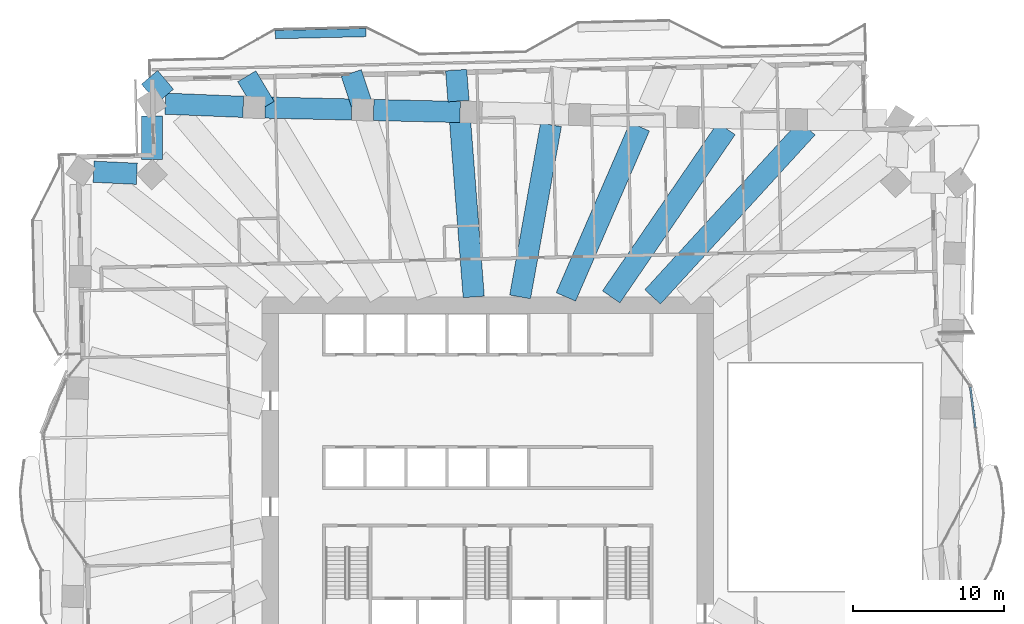
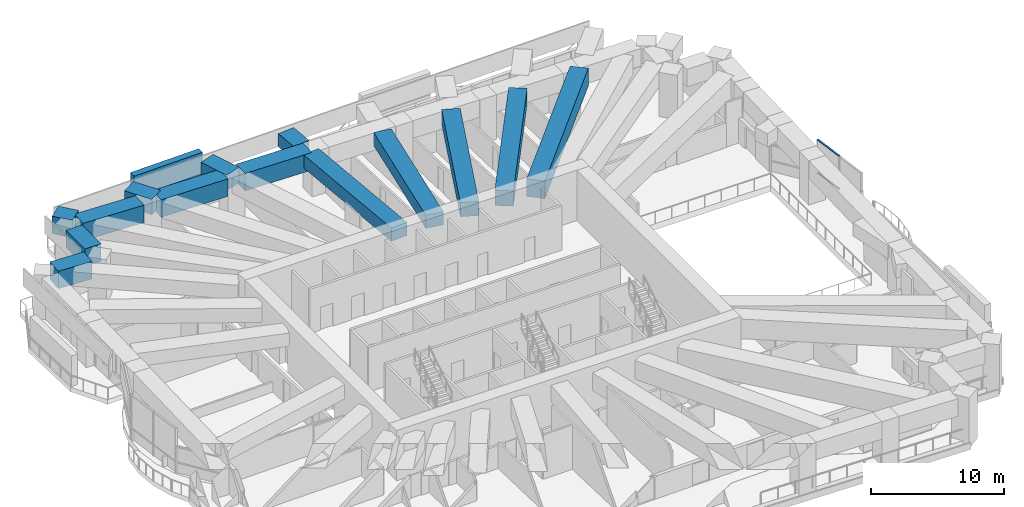
# One storey, part 6 of 20: 14 beams, 3 members, 1 element without a shape of its own.
"""IFC4 building model written with IfcOpenShell, lengths in metres."""

from ifc_helpers import new_model, si_unit, direction, frame, origin, origin_2d, place, context, subcontext, project, spatial, rectangle, extrude, material, material_profile, profile_set, type_object, element, aggregate, save


model = new_model("IFC4")

# Units and contexts
model_context = context("Model", 3, precision=1e-05, world=origin(), true_north=direction((0.0, 1.0)))
body_context = subcontext(model_context, "Body", "Model", "MODEL_VIEW")
ifc_project = project(units=[si_unit("LENGTHUNIT", "METRE"), si_unit("AREAUNIT", "SQUARE_METRE"), si_unit("VOLUMEUNIT", "CUBIC_METRE"), si_unit("PLANEANGLEUNIT", "RADIAN"), si_unit("MASSUNIT", "GRAM", prefix="KILO")], contexts=[model_context])

# Site, building, storey
site_placement = place(None, origin())
site = spatial("IfcSite", under=ifc_project, at=site_placement, CompositionType="ELEMENT")
building_placement = place(site_placement, origin())
building = spatial("IfcBuilding", under=site, at=building_placement, Name="Mangrove Gate Tower", CompositionType="ELEMENT")
storey_placement = place(building_placement, frame((0.0, 0.0, 74.699951171875)))
storey = spatial("IfcBuildingStorey", under=building, at=storey_placement, Name="L18", CompositionType="ELEMENT", Elevation=74.699951171875)

# Member
ifc_material_1 = material(Name="Planting on aluminium trellis", Category="aluminium")
ifc_material_profile_1 = material_profile(ifc_material_1, rectangle(XDim=0.550048828125, YDim=2.0, at=origin_2d()))
ifc_profile_set_1 = profile_set([ifc_material_profile_1], Name="Planting on aluminium trellis")
member_type_1 = type_object("IfcMemberType", Name="Balcony greenery screen 550x2000", PredefinedType="USERDEFINED", material=ifc_profile_set_1)
member_1_placement = place(storey_placement, frame((-14.030029296875, 29.217041015625, 1.800048828125), z_axis=(0.999739477659, 0.022824916448, 0.0), x_axis=(-0.022824916448, 0.999739477659, 0.0)))
element("IfcMember", 1, at=member_1_placement, inside=storey, type_object=member_type_1, Name="GREEN SCREEN L18 N1.1", ObjectType="PLANTING", PredefinedType="USERDEFINED", context=body_context, shape_type="SweptSolid", body=[
    extrude(rectangle(XDim=0.550048828125, YDim=2.0, at=origin_2d()), origin(), (0.0, 0.0, 1.0), 6.00048828125),
])

# Curtain wall, members
ifc_material_2 = material(Name="Aluminium and glass curtain wall", Category="aluminium")
curtain_wall_type = type_object("IfcCurtainWallType", Name="Sky-lounge glazing wall", PredefinedType="NOTDEFINED", material=ifc_material_2)
curtain_wall_placement = place(storey_placement, origin())
curtain_wall = element("IfcCurtainWall", 2, at=curtain_wall_placement, inside=storey, type_object=curtain_wall_type, Name="Sky-lounge glazing E1f2", PredefinedType="NOTDEFINED")
ifc_material_3 = material(Name="Aluminium alloy 6063-T6", Category="aluminium")
ifc_material_profile_2 = material_profile(ifc_material_3, rectangle(XDim=0.06005859375, YDim=0.139892578125, at=origin_2d()))
ifc_profile_set_2 = profile_set([ifc_material_profile_2], Name="Aluminium alloy 6063-T6")
member_type_2 = type_object("IfcMemberType", Name="Sky-lounge glazing transom 60x140", PredefinedType="USERDEFINED", material=ifc_profile_set_2)
member_2_placement = place(storey_placement, frame((32.18798828125, 3.273681640625, 1.0), z_axis=(-0.122129132669, 0.992514219018, 0.0), x_axis=(0.0, 0.0, 1.0)))
member_2 = element("IfcMember", 3, at=member_2_placement, type_object=member_type_2, Name="CWK transom 2.2", ObjectType="TRANSOM", PredefinedType="USERDEFINED", context=body_context, shape_type="SweptSolid", body=[
    extrude(rectangle(XDim=0.06005859375, YDim=0.139892578125, at=origin_2d()), origin(), (0.0, 0.0, 1.0), 2.69677734375),
])
member_3_placement = place(storey_placement, frame((32.18798828125, 3.273681640625, 4.02001953125), z_axis=(-0.122129132669, 0.992514219018, 0.0), x_axis=(0.0, 0.0, 1.0)))
member_3 = element("IfcMember", 4, at=member_3_placement, type_object=member_type_2, Name="CWK transom 2.3", ObjectType="TRANSOM", PredefinedType="USERDEFINED", context=body_context, shape_type="SweptSolid", body=[
    extrude(rectangle(XDim=0.06005859375, YDim=0.139892578125, at=origin_2d()), origin(), (0.0, 0.0, 1.0), 2.69677734375),
])
aggregate(curtain_wall, [member_2, member_3])

# Beams
ifc_material_4 = material(Name="Concrete C70/85", Category="concrete")
ifc_material_profile_3 = material_profile(ifc_material_4, rectangle(XDim=1.39990234375, YDim=1.199951171875, at=origin_2d()))
ifc_profile_set_3 = profile_set([ifc_material_profile_3], Name="Concrete C70/85")
beam_type_1 = type_object("IfcBeamType", Name="Transfer girder RC 1400x1200 C70/85", PredefinedType="BEAM", material=ifc_profile_set_3)
beam_1_placement = place(storey_placement, frame((2.134765625, 11.89990234375, 3.449951171875), z_axis=(0.176562136588, 0.984289495994, 0.0), x_axis=(-0.984289495994, 0.176562136588, 0.0)))
element("IfcBeam", 5, at=beam_1_placement, inside=storey, type_object=beam_type_1, Name="Transfer girder L18 23", PredefinedType="BEAM", context=body_context, shape_type="SweptSolid", body=[
    extrude(rectangle(XDim=1.39990234375, YDim=1.199951171875, at=origin_2d()), origin(), (0.0, 0.0, 1.0), 11.543212890625),
])
beam_2_placement = place(storey_placement, frame((-0.925537109375, 11.89990234375, 3.449951171875), z_axis=(-0.077530458683, 0.99698998389, 0.0), x_axis=(-0.99698998389, -0.077530458683, 0.0)))
element("IfcBeam", 6, at=beam_2_placement, inside=storey, type_object=beam_type_1, Name="Transfer girder L18 24", PredefinedType="BEAM", context=body_context, shape_type="SweptSolid", body=[
    extrude(rectangle(XDim=1.39990234375, YDim=1.199951171875, at=origin_2d()), origin(), (0.0, 0.0, 1.0), 11.707763671875),
])
beam_3_placement = place(storey_placement, frame((-1.930908203125, 24.82861328125, 3.449951171875), z_axis=(-0.077543586008, 0.996988962962, 0.0), x_axis=(-0.996988962962, -0.077543586008, 0.0)))
element("IfcBeam", 7, at=beam_3_placement, inside=storey, type_object=beam_type_1, Name="Transfer cantilever girder L18 24", PredefinedType="BEAM", context=body_context, shape_type="SweptSolid", body=[
    extrude(rectangle(XDim=1.39990234375, YDim=1.199951171875, at=origin_2d()), origin(), (0.0, 0.0, 1.0), 2.049560546875),
])
ifc_material_5 = material(Name="Concrete C70/85", Category="concrete")
ifc_material_profile_4 = material_profile(ifc_material_5, rectangle(XDim=1.39990234375, YDim=1.300048828125, at=origin_2d()))
ifc_profile_set_4 = profile_set([ifc_material_profile_4], Name="Concrete C70/85")
beam_type_2 = type_object("IfcBeamType", Name="Transfer girder RC 1400x1300 C70/85", PredefinedType="BEAM", material=ifc_profile_set_4)
beam_4_placement = place(storey_placement, frame((5.1591796875, 11.89990234375, 3.400146484375), z_axis=(0.397762958452, 0.9174882173, 0.0), x_axis=(-0.9174882173, 0.397762958452, 0.0)))
element("IfcBeam", 8, at=beam_4_placement, inside=storey, type_object=beam_type_2, Name="Transfer girder L18 22", PredefinedType="BEAM", context=body_context, shape_type="SweptSolid", body=[
    extrude(rectangle(XDim=1.39990234375, YDim=1.300048828125, at=origin_2d()), origin(), (0.0, 0.0, 1.0), 12.246826171875),
])
ifc_material_6 = material(Name="Concrete C70/85", Category="concrete")
ifc_material_profile_5 = material_profile(ifc_material_6, rectangle(XDim=1.39990234375, YDim=1.39990234375, at=origin_2d()))
ifc_profile_set_5 = profile_set([ifc_material_profile_5], Name="Concrete C70/85")
beam_type_3 = type_object("IfcBeamType", Name="Transfer girder RC 1400x1400 C70/85", PredefinedType="BEAM", material=ifc_profile_set_5)
beam_5_placement = place(storey_placement, frame((8.148681640625, 11.89990234375, 3.35009765625), z_axis=(0.56500766072, 0.825085658176, 0.0), x_axis=(-0.825085658176, 0.56500766072, 0.0)))
element("IfcBeam", 9, at=beam_5_placement, inside=storey, type_object=beam_type_3, Name="Transfer girder L18 21", PredefinedType="BEAM", context=body_context, shape_type="SweptSolid", body=[
    extrude(rectangle(XDim=1.39990234375, YDim=1.39990234375, at=origin_2d()), origin(), (0.0, 0.0, 1.0), 13.461181640625),
])
beam_6_placement = place(storey_placement, frame((-8.196044921875, 24.253662109375, 3.35009765625), z_axis=(-0.320111019014, 0.947380037528, 0.0), x_axis=(-0.947380037528, -0.320111019014, 0.0)))
element("IfcBeam", 10, at=beam_6_placement, inside=storey, type_object=beam_type_3, Name="Transfer cantilever girder L18 25", PredefinedType="BEAM", context=body_context, shape_type="SweptSolid", body=[
    extrude(rectangle(XDim=1.39990234375, YDim=1.39990234375, at=origin_2d()), origin(), (0.0, 0.0, 1.0), 2.563232421875),
])
beam_7_placement = place(storey_placement, frame((-14.701171875, 24.45263671875, 3.35009765625), z_axis=(-0.515245315854, 0.857042743678, 0.0), x_axis=(-0.857042743678, -0.515245315854, 0.0)))
element("IfcBeam", 11, at=beam_7_placement, inside=storey, type_object=beam_type_3, Name="Transfer cantilever girder L18 26", PredefinedType="BEAM", context=body_context, shape_type="SweptSolid", body=[
    extrude(rectangle(XDim=1.39990234375, YDim=1.39990234375, at=origin_2d()), origin(), (0.0, 0.0, 1.0), 2.346435546875),
])
ifc_material_7 = material(Name="Concrete C70/85", Category="concrete")
ifc_material_profile_6 = material_profile(ifc_material_7, rectangle(XDim=1.39990234375, YDim=1.60009765625, at=origin_2d()))
ifc_profile_set_6 = profile_set([ifc_material_profile_6], Name="Concrete C70/85")
beam_type_4 = type_object("IfcBeamType", Name="Transfer girder RC 1400x1600 C70/85", PredefinedType="BEAM", material=ifc_profile_set_6)
beam_8_placement = place(storey_placement, frame((-1.822265625, 24.109619140625, 3.25), z_axis=(-0.999744432359, 0.022606856661, 0.0), x_axis=(-0.022606856661, -0.999744432359, 0.0)))
element("IfcBeam", 12, at=beam_8_placement, inside=storey, type_object=beam_type_4, Name="Transfer ring girder L18 26", PredefinedType="BEAM", context=body_context, shape_type="SweptSolid", body=[
    extrude(rectangle(XDim=1.39990234375, YDim=1.60009765625, at=origin_2d()), origin(), (0.0, 0.0, 1.0), 5.712890625),
])
beam_9_placement = place(storey_placement, frame((-8.983154296875, 24.271728515625, 3.25), z_axis=(-0.9997414382, 0.022738881792, 0.0), x_axis=(-0.022738881792, -0.9997414382, 0.0)))
element("IfcBeam", 13, at=beam_9_placement, inside=storey, type_object=beam_type_4, Name="Transfer ring girder L18 27", PredefinedType="BEAM", context=body_context, shape_type="SweptSolid", body=[
    extrude(rectangle(XDim=1.39990234375, YDim=1.60009765625, at=origin_2d()), origin(), (0.0, 0.0, 1.0), 5.7119140625),
])
beam_10_placement = place(storey_placement, frame((-16.14306640625, 24.44775390625, 3.25), z_axis=(-0.999169077481, 0.040757264461, 0.0), x_axis=(-0.040757264461, -0.999169077481, 0.0)))
element("IfcBeam", 14, at=beam_10_placement, inside=storey, type_object=beam_type_4, Name="Transfer ring girder L18 28", PredefinedType="BEAM", context=body_context, shape_type="SweptSolid", body=[
    extrude(rectangle(XDim=1.39990234375, YDim=1.60009765625, at=origin_2d()), origin(), (0.0, 0.0, 1.0), 5.151611328125),
])
beam_11_placement = place(storey_placement, frame((-22.1728515625, 23.833984375, 3.25), z_axis=(0.000514050652, -0.999999867876, 0.0), x_axis=(0.999999867876, 0.000514050652, 0.0)))
element("IfcBeam", 15, at=beam_11_placement, inside=storey, type_object=beam_type_4, Name="Transfer ring girder L18 29", PredefinedType="BEAM", context=body_context, shape_type="SweptSolid", body=[
    extrude(rectangle(XDim=1.39990234375, YDim=1.60009765625, at=origin_2d()), origin(), (0.0, 0.0, 1.0), 2.849609375),
])
beam_12_placement = place(storey_placement, frame((-23.170654296875, 20.029296875, 3.25), z_axis=(-0.998867750526, 0.047573279878, 0.0), x_axis=(-0.047573279878, -0.998867750526, 0.0)))
element("IfcBeam", 16, at=beam_12_placement, inside=storey, type_object=beam_type_4, Name="Transfer ring girder L18 30", PredefinedType="BEAM", context=body_context, shape_type="SweptSolid", body=[
    extrude(rectangle(XDim=1.39990234375, YDim=1.60009765625, at=origin_2d()), origin(), (0.0, 0.0, 1.0), 2.853271484375),
])
beam_13_placement = place(storey_placement, frame((10.883056640625, 11.89990234375, 3.25), z_axis=(0.674863368113, 0.737942703995, 0.0), x_axis=(-0.737942703995, 0.674863368113, 0.0)))
element("IfcBeam", 17, at=beam_13_placement, inside=storey, type_object=beam_type_4, Name="Transfer girder L18 20", PredefinedType="BEAM", context=body_context, shape_type="SweptSolid", body=[
    extrude(rectangle(XDim=1.39990234375, YDim=1.60009765625, at=origin_2d()), origin(), (0.0, 0.0, 1.0), 15.12939453125),
])
beam_14_placement = place(storey_placement, frame((-21.281982421875, 25.15869140625, 3.25), z_axis=(-0.645847600723, 0.763466355932, 0.0), x_axis=(-0.763466355932, -0.645847600723, 0.0)))
element("IfcBeam", 18, at=beam_14_placement, inside=storey, type_object=beam_type_4, Name="Transfer cantilever girder L18 27", PredefinedType="BEAM", context=body_context, shape_type="SweptSolid", body=[
    extrude(rectangle(XDim=1.39990234375, YDim=1.60009765625, at=origin_2d()), origin(), (0.0, 0.0, 1.0), 1.619140625),
])

save(model, "model.ifc")
